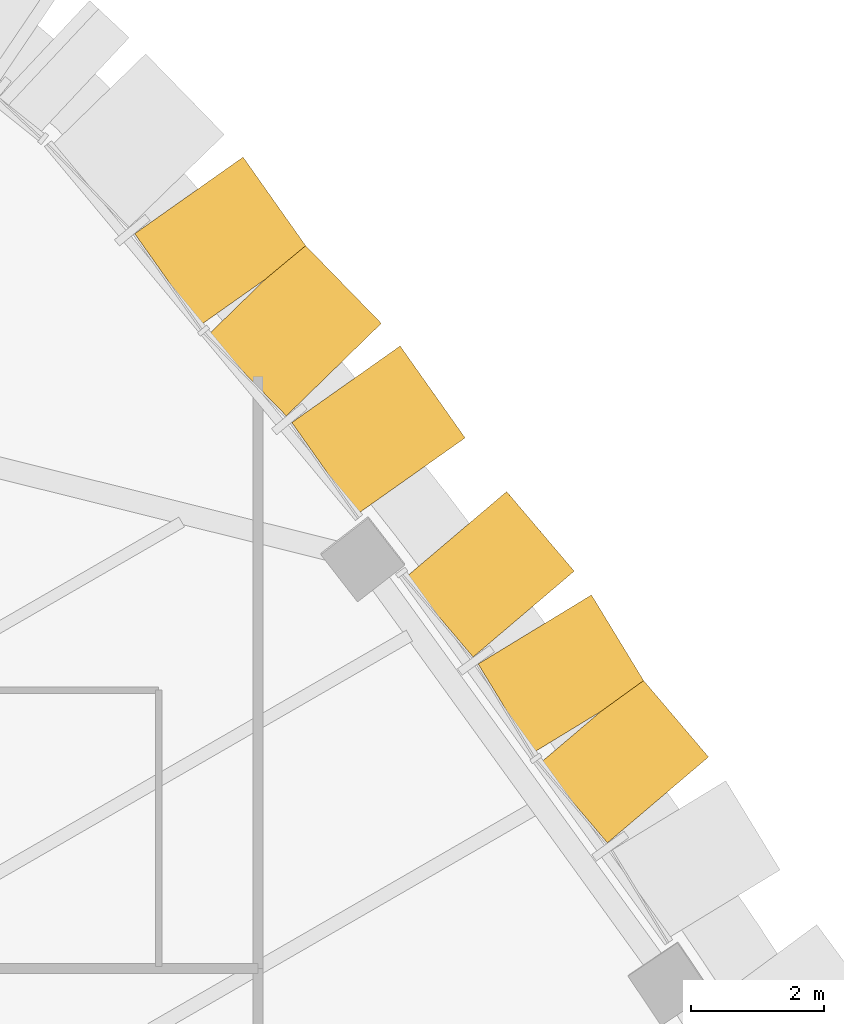
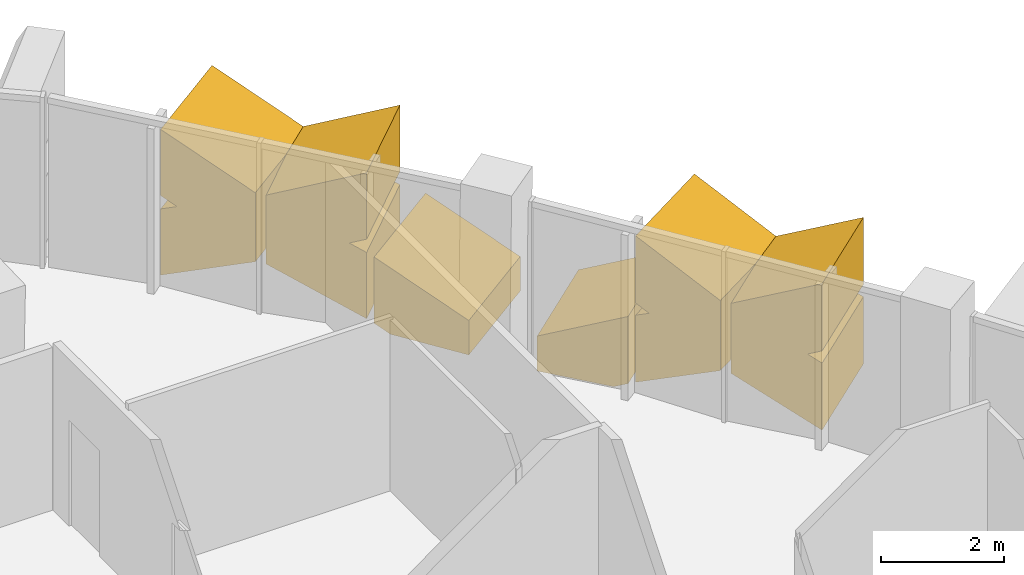
# One storey, part 21 of 22: 6 coverings.
"""IFC4 building model written with IfcOpenShell, lengths in metres."""

from ifc_helpers import new_model, si_unit, direction, frame, origin, place, context, subcontext, project, spatial, polyline, outline, extrude, material, layer, layer_set, type_object, element, save


model = new_model("IFC4")

# Units and contexts
model_context = context("Model", 3, precision=1e-05, world=origin(), true_north=direction((0.0, 1.0)))
body_context = subcontext(model_context, "Body", "Model", "MODEL_VIEW")
ifc_project = project(units=[si_unit("LENGTHUNIT", "METRE"), si_unit("AREAUNIT", "SQUARE_METRE"), si_unit("VOLUMEUNIT", "CUBIC_METRE"), si_unit("PLANEANGLEUNIT", "RADIAN"), si_unit("MASSUNIT", "GRAM", prefix="KILO")], contexts=[model_context])

# Site, building, storey
site_placement = place(None, origin())
site = spatial("IfcSite", under=ifc_project, at=site_placement, CompositionType="ELEMENT")
building_placement = place(site_placement, origin())
building = spatial("IfcBuilding", under=site, at=building_placement, Name="Sierra Prisma Convention Tower", CompositionType="ELEMENT")
storey_placement = place(building_placement, frame((0.0, 0.0, 227.0)))
storey = spatial("IfcBuildingStorey", under=building, at=storey_placement, Name="L50", CompositionType="ELEMENT", Elevation=227.0)

# Coverings
ifc_material = material(Name="Aluminium 6063-T6 bronze anodised", Category="aluminium")
ifc_layer = layer(ifc_material, 2.0)
ifc_layer_set = layer_set([ifc_layer], Name="Bronze crystal chevron frame")
covering_type = type_object("IfcCoveringType", Name="Bronze crystal chevron frame", PredefinedType="CLADDING", material=ifc_layer_set)
covering_1_placement = place(storey_placement, frame((14.4912109375, 20.56298828125, 1.517578125), z_axis=(0.762092389879, 0.64746829211, 0.0), x_axis=(0.0, 0.0, -1.0)))
element("IfcCovering", 1, at=covering_1_placement, inside=storey, type_object=covering_type, Name="CW-2 chevron frame NE5.1.2", PredefinedType="CLADDING", context=body_context, shape_type="SweptSolid", body=[
    extrude(outline(polyline([(0.0, 0.0), (1.33251953125, 0.0), (0.57275390625, 1.5738995514513767), (-0.817626953125, 1.5738995514513767), (-1.577392578125, 0.0), (-0.244873046875, 0.0), (-0.122314453125, 0.25358297487364206), (0.0, 0.0)])), origin(), (0.0, 0.0, -1.0), 2.0),
])
covering_2_placement = place(storey_placement, frame((13.544921875, 21.661865234375, 0.94482421875), z_axis=(0.853957929909, 0.520342054755, 0.0), x_axis=(-0.468613490485, 0.769063739141, -0.434675006959)))
element("IfcCovering", 2, at=covering_2_placement, inside=storey, type_object=covering_type, Name="CW-2 chevron frame NE5.2.1", PredefinedType="CLADDING", context=body_context, shape_type="SweptSolid", body=[
    extrude(outline(polyline([(0.0, 0.0), (1.7478935131691373, 1.1102230246251565e-16), (1.168680576650334, 1.2000502803349469), (0.8870761788338288, 1.1999481909019543), (1.062240383295926, 1.4205798573184487), (0.4830274467771227, 2.6206301376533956), (-0.6043638097241818, 1.2521594625334413), (0.0, 0.0)])), origin(), (0.0, 0.0, -1.0), 2.0),
])
covering_3_placement = place(storey_placement, frame((12.466064453125, 23.365478515625, 0.122314453125), z_axis=(0.762158009524, 0.647391044442, 6.3993277e-05), x_axis=(-0.583082293441, 0.686491797578, -0.434446833264)))
element("IfcCovering", 3, at=covering_3_placement, inside=storey, type_object=covering_type, Name="CW-2 chevron frame NE5.2.2", PredefinedType="CLADDING", context=body_context, shape_type="SweptSolid", body=[
    extrude(outline(polyline([(0.0, 0.0), (0.28154069051263014, 1.3877787807814457e-17), (1.470914074606357, 0.5736881936711739), (1.1689438269736787, 1.1997345112631468), (-0.578908890614386, 1.2001969797741439), (0.0, 0.0)])), origin(), (0.0, 0.0, -1.0), 2.0),
])
covering_4_placement = place(storey_placement, frame((10.01123046875, 26.52001953125, 0.0), z_axis=(0.816630735901, 0.577160497237, 4.01468e-05), x_axis=(-0.526337324679, 0.744691925086, 0.410369293883)))
element("IfcCovering", 4, at=covering_4_placement, inside=storey, type_object=covering_type, Name="CW-2 chevron frame NE6.1.1", PredefinedType="CLADDING", context=body_context, shape_type="SweptSolid", body=[
    extrude(outline(polyline([(0.0, 0.0), (0.3236414254291497, 1.3877787807814457e-17), (0.8636537530732984, 1.200011159814973), (-0.9978203570665606, 1.1999846240847865), (-1.2788471806364747, 0.5754890205076066), (0.0, 0.0)])), origin(), (0.0, 0.0, -1.0), 2.0),
])
covering_5_placement = place(storey_placement, frame((9.55712890625, 27.10205078125, 1.507080078125), z_axis=(0.71625287741, 0.697840823972, 0.0), x_axis=(0.0, 0.0, -1.0)))
element("IfcCovering", 5, at=covering_5_placement, inside=storey, type_object=covering_type, Name="CW-2 chevron frame NE6.1.2", PredefinedType="CLADDING", context=body_context, shape_type="SweptSolid", body=[
    extrude(outline(polyline([(0.0, 0.0), (1.315673828125, 0.0), (0.552001953125, 1.6974763201693994), (-0.81787109375, 1.6974763201693994), (-1.58154296875, 0.0), (-0.265625, 0.0), (-0.1328125, 0.29522769708725916), (0.0, 0.0)])), origin(), (0.0, 0.0, -1.0), 2.0),
])
covering_6_placement = place(storey_placement, frame((8.451904296875, 28.222412109375, 0.955078125), z_axis=(0.816627721536, 0.577164763666, 0.0), x_axis=(-0.526352710795, 0.744733985857, -0.410273218902)))
element("IfcCovering", 6, at=covering_6_placement, inside=storey, type_object=covering_type, Name="CW-2 chevron frame NE6.2.1", PredefinedType="CLADDING", context=body_context, shape_type="SweptSolid", body=[
    extrude(outline(polyline([(0.0, 0.0), (1.8613739328228003, 0.0), (1.321588196332476, 1.1998453986637987), (0.9977649538411733, 1.199797694898743), (1.2126093725615588, 1.442085479151127), (0.6727234717111511, 2.6421535249477266), (-0.5620222244288753, 1.249273062145588), (0.0, 0.0)])), origin(), (0.0, 0.0, -1.0), 2.0),
])

save(model, "model.ifc")
